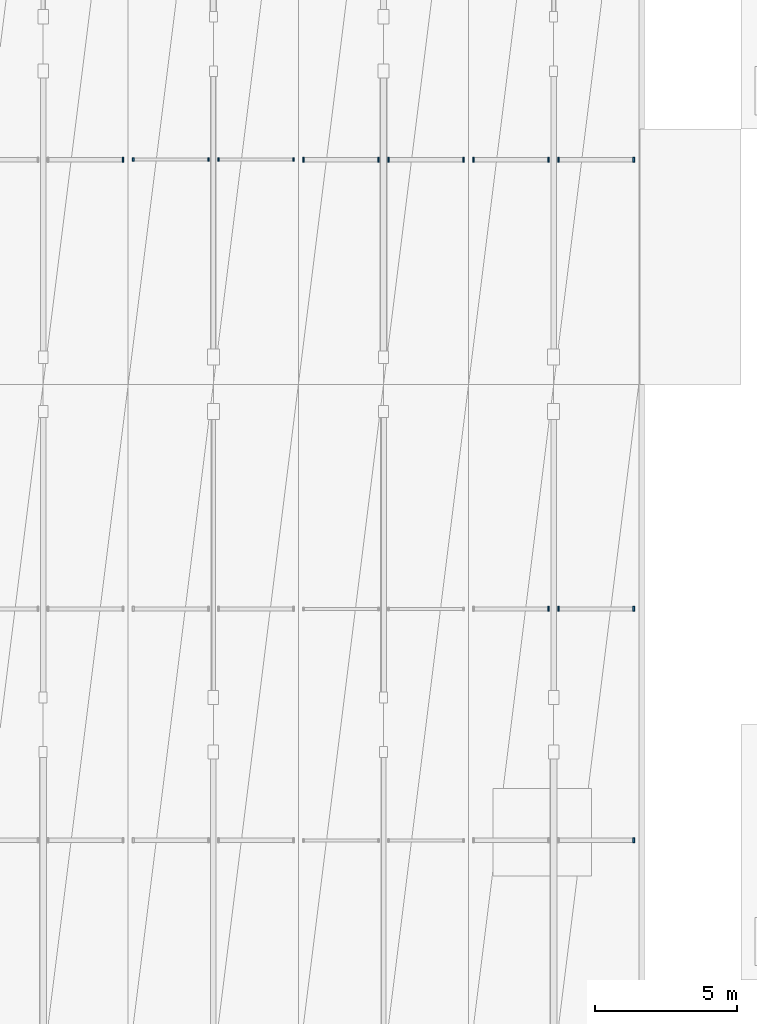
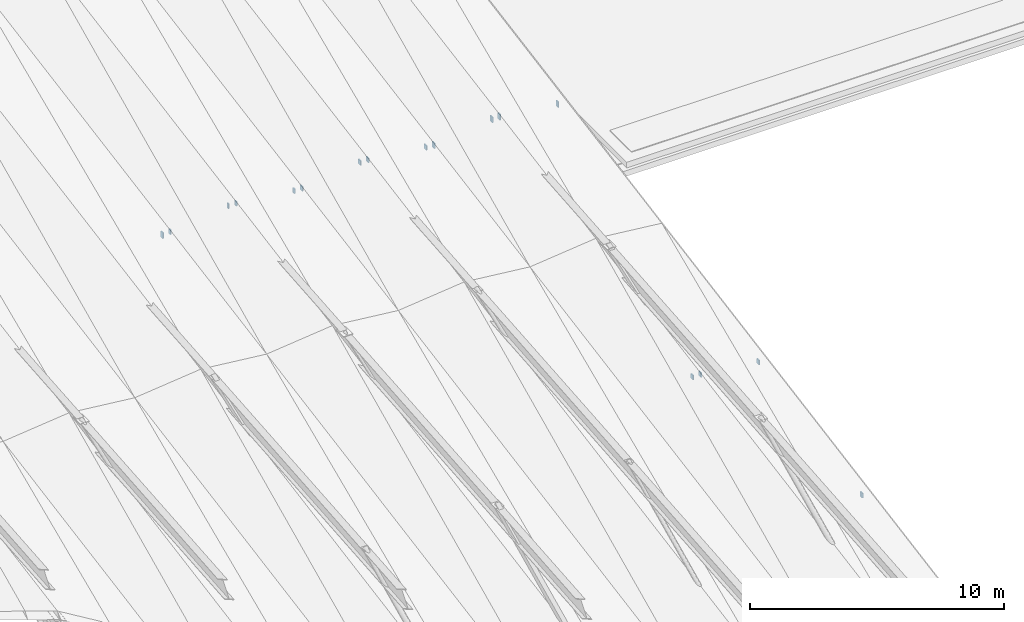
# One storey, part 44 of 52: 17 discrete accessories.
"""IFC4 building model written with IfcOpenShell, lengths in metres."""

from ifc_helpers import new_model, si_unit, direction, frame, origin, origin_2d, place, context, subcontext, project, spatial, rectangle, extrude, material, layer, layer_set, type_object, element, save


model = new_model("IFC4")

# Units and contexts
model_context = context("Model", 3, precision=1e-05, world=origin(), true_north=direction((0.0, 1.0)))
body_context = subcontext(model_context, "Body", "Model", "MODEL_VIEW")
ifc_project = project(units=[si_unit("LENGTHUNIT", "METRE"), si_unit("AREAUNIT", "SQUARE_METRE"), si_unit("VOLUMEUNIT", "CUBIC_METRE"), si_unit("PLANEANGLEUNIT", "RADIAN"), si_unit("MASSUNIT", "GRAM", prefix="KILO")], contexts=[model_context])

# Site, building, storey
site_placement = place(None, origin())
site = spatial("IfcSite", under=ifc_project, at=site_placement, CompositionType="ELEMENT")
building_placement = place(site_placement, origin())
building = spatial("IfcBuilding", under=site, at=building_placement, Name="Vaelkrest Opera House", CompositionType="ELEMENT")
storey_placement = place(building_placement, frame((0.0, 0.0, 41.39990234375)))
storey = spatial("IfcBuildingStorey", under=building, at=storey_placement, Name="ROOF", CompositionType="ELEMENT", Elevation=41.39990234375)

# Discrete accessories
ifc_material = material(Name="Steel A572 Gr50", Category="steel")
ifc_layer = layer(ifc_material, 0.320068359375)
ifc_layer_set = layer_set([ifc_layer], Name="Steel A572 Gr50")
discrete_accessory_type = type_object("IfcDiscreteAccessoryType", Name="ECP01", PredefinedType="USERDEFINED", material=ifc_layer_set)
discrete_accessory_placement = place(storey_placement, frame((11.822509765625, 0.1201171875, -6.741943359375), z_axis=(0.0, 0.0, 1.0), x_axis=(1.0, 0.0, 0.0)))
element("IfcDiscreteAccessory", 1, at=discrete_accessory_placement, inside=storey, type_object=discrete_accessory_type, Name="Purlin HSS end cap plate V1-07-S3-33-E1", ObjectType="CAP PLATE", PredefinedType="USERDEFINED", context=body_context, shape_type="SweptSolid", body=[
    extrude(rectangle(XDim=0.054931640625, YDim=0.176025390625, at=origin_2d()), origin(), (0.0, 0.0, 1.0), 0.27001953125),
])
for number, where, z_axis, x_axis, name in (
    (2, (12.177490234375, 0.1201171875, -6.69140625), (0.0, 0.0, 1.0), (1.0, 0.0, 0.0), "Purlin HSS end cap plate V1-08-S3-33-W0"),
    (3, (14.822509765625, 0.1201171875, -6.3671875), (0.0, 0.0, 1.0), (1.0, 0.0, 0.0), "Purlin HSS end cap plate V1-08-S3-33-W1"),
    (4, (15.177490234375, 0.1201171875, -6.3671875), (0.0, 0.0, 1.0), (1.0, 0.0, 0.0), "Purlin HSS end cap plate V1-08-S3-33-E0"),
    (5, (17.822509765625, 0.1201171875, -6.69140625), (0.0, 0.0, 1.0), (1.0, 0.0, 0.0), "Purlin HSS end cap plate V1-08-S3-33-E1"),
):
    element("IfcDiscreteAccessory", number, at=place(storey_placement, frame(where, z_axis=z_axis, x_axis=x_axis)), inside=storey, type_object=discrete_accessory_type, Name=name, ObjectType="CAP PLATE", PredefinedType="USERDEFINED", context=body_context, shape_type="SweptSolid", body=[
        extrude(rectangle(XDim=0.054931640625, YDim=0.1259765625, at=origin_2d()), origin(), (0.0, 0.0, 1.0), 0.218994140625),
    ])
for number, where, z_axis, x_axis, name in (
    (6, (18.177490234375, 0.1201171875, -6.69140625), (0.0, 0.0, 1.0), (1.0, 0.0, 0.0), "Purlin HSS end cap plate V1-09-S3-33-W0"),
    (7, (20.822509765625, 0.1201171875, -6.3671875), (0.0, 0.0, 1.0), (1.0, 0.0, 0.0), "Purlin HSS end cap plate V1-09-S3-33-W1"),
    (8, (21.177490234375, 0.1201171875, -6.3671875), (0.0, 0.0, 1.0), (1.0, 0.0, 0.0), "Purlin HSS end cap plate V1-09-S3-33-E0"),
    (9, (23.822509765625, 0.1201171875, -6.69140625), (0.0, 0.0, 1.0), (1.0, 0.0, 0.0), "Purlin HSS end cap plate V1-09-S3-33-E1"),
    (10, (29.822509765625, -23.8798828125, -10.9833984375), (0.0, 0.0, 1.0), (1.0, 0.0, 0.0), "Purlin HSS end cap plate V1-10-S2-33-E1"),
    (11, (26.822509765625, -15.719970703125, -9.19921875), (0.0, 0.0, 1.0), (1.0, 0.0, 0.0), "Purlin HSS end cap plate V1-10-S2-67-W1"),
    (12, (27.177490234375, -15.719970703125, -9.19921875), (0.0, 0.0, 1.0), (1.0, 0.0, 0.0), "Purlin HSS end cap plate V1-10-S2-67-E0"),
    (13, (29.822509765625, -15.719970703125, -9.5234375), (0.0, 0.0, 1.0), (1.0, 0.0, 0.0), "Purlin HSS end cap plate V1-10-S2-67-E1"),
):
    element("IfcDiscreteAccessory", number, at=place(storey_placement, frame(where, z_axis=z_axis, x_axis=x_axis)), inside=storey, type_object=discrete_accessory_type, Name=name, ObjectType="CAP PLATE", PredefinedType="USERDEFINED", context=body_context, shape_type="SweptSolid", body=[
        extrude(rectangle(XDim=0.054931640625, YDim=0.176025390625, at=origin_2d()), origin(), (0.0, 0.0, 1.0), 0.218994140625),
    ])
for number, where, z_axis, x_axis, name in (
    (14, (24.177490234375, 0.1201171875, -6.741943359375), (0.0, 0.0, 1.0), (1.0, 0.0, 0.0), "Purlin HSS end cap plate V1-10-S3-33-W0"),
    (15, (26.822509765625, 0.1201171875, -6.41796875), (0.0, 0.0, 1.0), (1.0, 0.0, 0.0), "Purlin HSS end cap plate V1-10-S3-33-W1"),
    (16, (27.177490234375, 0.1201171875, -6.41796875), (0.0, 0.0, 1.0), (1.0, 0.0, 0.0), "Purlin HSS end cap plate V1-10-S3-33-E0"),
    (17, (29.822509765625, 0.1201171875, -6.741943359375), (0.0, 0.0, 1.0), (1.0, 0.0, 0.0), "Purlin HSS end cap plate V1-10-S3-33-E1"),
):
    element("IfcDiscreteAccessory", number, at=place(storey_placement, frame(where, z_axis=z_axis, x_axis=x_axis)), inside=storey, type_object=discrete_accessory_type, Name=name, ObjectType="CAP PLATE", PredefinedType="USERDEFINED", context=body_context, shape_type="SweptSolid", body=[
        extrude(rectangle(XDim=0.054931640625, YDim=0.176025390625, at=origin_2d()), origin(), (0.0, 0.0, 1.0), 0.27001953125),
    ])

save(model, "model.ifc")
